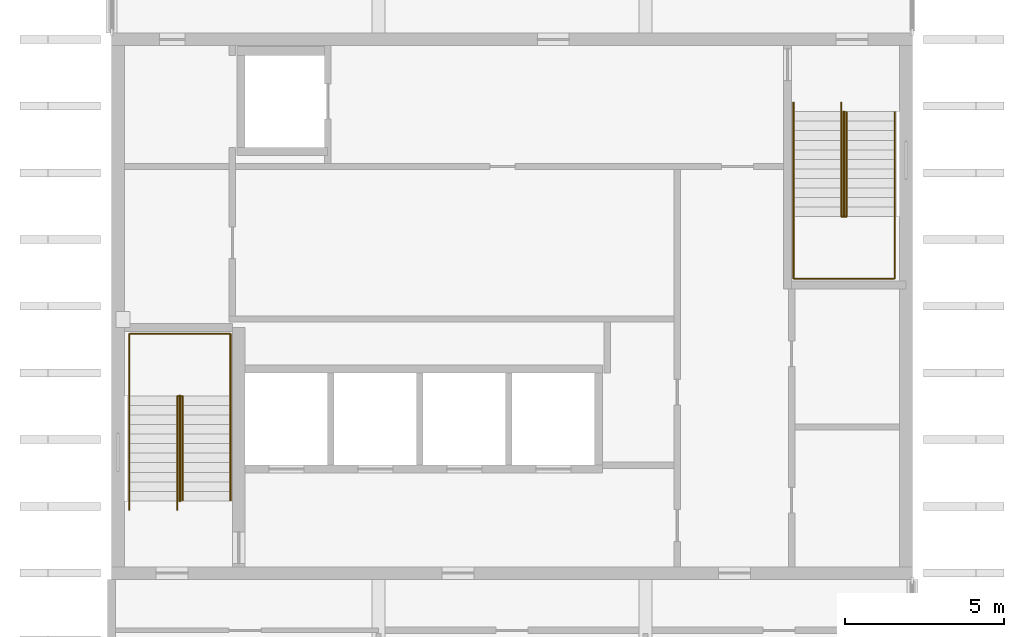
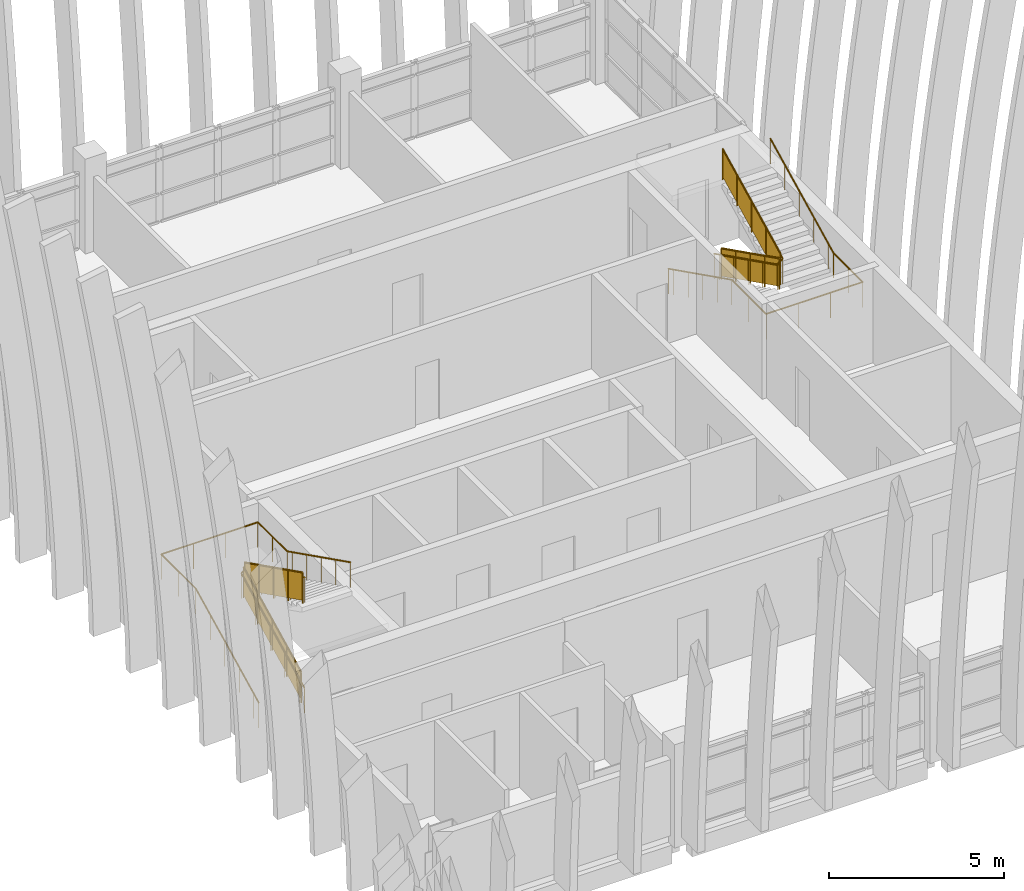
# One storey, part 8 of 19: 8 railings.
"""IFC4 building model written with IfcOpenShell, lengths in metres."""

import ifcopenshell
import ifcopenshell.guid

model = None  # the IFC model being written
_history = None  # IfcOwnerHistory: only IFC2X3 demands one
_inside = {}  # id of a spatial element -> (the spatial element, [elements in it])
_under = {}  # id of a project, library or spatial element -> (it, [spatial elements below it])
_declared = {}  # id of a project -> (the project, [libraries it declares])
_typed = {}  # id of a type object -> (the type object, [elements of that type])
_made_of = {}  # id of a material, layer set ... -> (it, [elements and type objects made of it])


def new_model(schema):
    """Start an empty IFC model of exactly this schema.

    Asked for "IFC4X3", IfcOpenShell would pick the latest addendum, in which some entities
    have other attributes; the version numbers below select the first issue.
    IFC2X3 requires an IfcOwnerHistory on every rooted entity: one is made here for all.
    """
    global model, _history
    if schema == "IFC4X3":
        model = ifcopenshell.file(schema_version=(4, 3, 0, 0))
    else:
        model = ifcopenshell.file(schema=schema)
    _inside.clear()
    _under.clear()
    _declared.clear()
    _typed.clear()
    _made_of.clear()
    _history = None
    if model.schema == "IFC2X3":
        org = make("IfcOrganization", Name="unknown")
        user = make(
            "IfcPersonAndOrganization",
            ThePerson=make("IfcPerson", FamilyName="unknown"),
            TheOrganization=org,
        )
        app = make(
            "IfcApplication",
            ApplicationDeveloper=org,
            Version="unknown",
            ApplicationFullName="unknown",
            ApplicationIdentifier="unknown",
        )
        _history = make(
            "IfcOwnerHistory",
            OwningUser=user,
            OwningApplication=app,
            ChangeAction="ADDED",
            CreationDate=0,
        )
    return model


def make(cls, **values):
    """One entity of the class cls with the attributes given. An attribute that is None is left unset."""
    return model.create_entity(
        cls, **{name: value for name, value in values.items() if value is not None}
    )


def rooted(cls, **values):
    """An entity with a GlobalId (a new one), such as an element, a storey or a relation."""
    return make(cls, GlobalId=ifcopenshell.guid.new(), OwnerHistory=_history, **values)


def si_unit(unit_type, name, prefix=None):
    """IfcSIUnit, for example si_unit("LENGTHUNIT", "METRE", prefix="MILLI")."""
    return make("IfcSIUnit", UnitType=unit_type, Prefix=prefix, Name=name)


def assignment(units):
    """IfcUnitAssignment: the units of a project."""
    return None if units is None else make("IfcUnitAssignment", Units=units)


def point(xyz):
    """IfcCartesianPoint."""
    return None if xyz is None else make("IfcCartesianPoint", Coordinates=xyz)


def direction(xyz):
    """IfcDirection."""
    return None if xyz is None else make("IfcDirection", DirectionRatios=xyz)


def frame(location, z_axis=None, x_axis=None):
    """IfcAxis2Placement3D, a coordinate frame: its origin and axes. An axis left out is left unset."""
    return make(
        "IfcAxis2Placement3D",
        Location=point(location),
        Axis=direction(z_axis),
        RefDirection=direction(x_axis),
    )


def frame_2d(location, x_axis=None):
    """IfcAxis2Placement2D, a coordinate frame in the plane: its origin and x axis."""
    return make(
        "IfcAxis2Placement2D", Location=point(location), RefDirection=direction(x_axis)
    )


def origin():
    """The frame at (0, 0, 0) with its axes left unset."""
    return frame((0.0, 0.0, 0.0))


def origin_2d():
    """The frame at (0, 0) in the plane with its x axis left unset."""
    return frame_2d((0.0, 0.0))


def place(relative_to, where):
    """IfcLocalPlacement: puts the frame where relative to a parent placement (None: the world)."""
    return make(
        "IfcLocalPlacement", PlacementRelTo=relative_to, RelativePlacement=where
    )


def context(
    kind, dimensions, precision=None, world=None, true_north=None, identifier=None
):
    """IfcGeometricRepresentationContext, for example the 3D "Model" context."""
    return make(
        "IfcGeometricRepresentationContext",
        ContextIdentifier=identifier,
        ContextType=kind,
        CoordinateSpaceDimension=dimensions,
        Precision=precision,
        WorldCoordinateSystem=world,
        TrueNorth=true_north,
    )


def subcontext(parent, identifier, kind, view, scale=None):
    """IfcGeometricRepresentationSubContext, for example "Body" below "Model"."""
    return make(
        "IfcGeometricRepresentationSubContext",
        ContextIdentifier=identifier,
        ContextType=kind,
        ParentContext=parent,
        TargetScale=scale,
        TargetView=view,
    )


def project(units=None, contexts=None):
    """IfcProject with its units and contexts."""
    return rooted(
        "IfcProject",
        Name="project",
        RepresentationContexts=contexts,
        UnitsInContext=assignment(units),
    )


def spatial(cls, under=None, at=None, **own):
    """A site, building, storey or space (cls), placed at a placement, below another one or the project."""
    s = rooted(cls, ObjectPlacement=at, **own)
    if under is not None:
        _under.setdefault(under.id(), (under, []))[1].append(s)
    return s


def polyline(points):
    """IfcPolyline through the points."""
    return make("IfcPolyline", Points=[point(p) for p in points])


def profile(cls, at=None, kind="AREA", **sizes):
    """A parametric profile (cls). Its sizes go by their IFC names, for example OverallWidth=200.0."""
    return make(cls, ProfileType=kind, Position=at, **sizes)


def circle(**sizes):
    """IfcCircleProfileDef."""
    return profile("IfcCircleProfileDef", **sizes)


def outline(outer, holes=None, kind="AREA"):
    """IfcArbitraryClosedProfileDef: a profile drawn as a closed curve; with holes, ...WithVoids."""
    if holes is None:
        return make("IfcArbitraryClosedProfileDef", ProfileType=kind, OuterCurve=outer)
    return make(
        "IfcArbitraryProfileDefWithVoids",
        ProfileType=kind,
        OuterCurve=outer,
        InnerCurves=holes,
    )


def extrude(swept, where, along, depth):
    """IfcExtrudedAreaSolid: the profile swept, set in the frame where, extruded along a direction by depth."""
    return make(
        "IfcExtrudedAreaSolid",
        SweptArea=swept,
        Position=where,
        ExtrudedDirection=direction(along),
        Depth=depth,
    )


def shape(context_of_items, identifier, shape_type, items):
    """IfcShapeRepresentation: the items that make up one representation, for example the "Body"."""
    return make(
        "IfcShapeRepresentation",
        ContextOfItems=context_of_items,
        RepresentationIdentifier=identifier,
        RepresentationType=shape_type,
        Items=items,
    )


def material(Name=None, Category=None):
    """IfcMaterial."""
    return make("IfcMaterial", Name=Name, Category=Category)


def made_of(thing, what):
    """Note that an element or type object is made of a material, layer set ...; save() writes the relation."""
    if what is not None:
        _made_of.setdefault(what.id(), (what, []))[1].append(thing)
    return thing


def type_object(cls, material=None, **own):
    """A type object (cls), such as IfcWallType, which elements share."""
    return made_of(rooted(cls, **own), material)


def element(
    cls,
    number,
    at=None,
    inside=None,
    cuts=None,
    type_object=None,
    material=None,
    context=None,
    identifier="Body",
    shape_type=None,
    held_by="IfcProductDefinitionShape",
    body=None,
    shapes=None,
    **own,
):
    """One element of the class cls, such as IfcWall. Its Tag is "e" and its number.

    at: its placement. inside: the storey or other place that contains it. cuts: it is an
    opening in that element (IfcRelVoidsElement). A single representation is given by context,
    identifier, shape_type and body (its items); several are given by shapes. held_by: the class
    of the entity that holds the representations. save() writes the other relations.
    """
    e = rooted(cls, Tag="e%d" % number, ObjectPlacement=at, **own)
    if body is not None:
        shapes = [shape(context, identifier, shape_type, body)]
    if shapes is not None:
        e.Representation = make(held_by, Representations=shapes)
    if inside is not None:
        _inside.setdefault(inside.id(), (inside, []))[1].append(e)
    if cuts is not None:
        rooted(
            "IfcRelVoidsElement", RelatingBuildingElement=cuts, RelatedOpeningElement=e
        )
    if type_object is not None:
        _typed.setdefault(type_object.id(), (type_object, []))[1].append(e)
    return made_of(e, material)


def aggregate(whole, parts):
    """IfcRelAggregates: a whole, such as a stair, and the parts it consists of."""
    return rooted("IfcRelAggregates", RelatingObject=whole, RelatedObjects=parts)


def save(model, path):
    """Write the relations noted so far, then the file.

    IfcRelAggregates (storeys below a building ...), IfcRelContainedInSpatialStructure (elements
    in a storey), IfcRelDefinesByType, IfcRelAssociatesMaterial and IfcRelDeclares: one each for
    every whole, place, type object, material and project.
    """
    for whole, parts in _under.values():
        aggregate(whole, parts)
    for where, things in _inside.values():
        rooted(
            "IfcRelContainedInSpatialStructure",
            RelatedElements=things,
            RelatingStructure=where,
        )
    for kind, things in _typed.values():
        rooted("IfcRelDefinesByType", RelatedObjects=things, RelatingType=kind)
    for what, things in _made_of.values():
        rooted("IfcRelAssociatesMaterial", RelatedObjects=things, RelatingMaterial=what)
    for by, libraries in _declared.values():
        rooted("IfcRelDeclares", RelatingContext=by, RelatedDefinitions=libraries)
    model.write(path)


model = new_model("IFC4")

# Units and contexts
model_context = context("Model", 3, precision=1e-05, world=origin(), true_north=direction((0.0, 1.0)))
body_context = subcontext(model_context, "Body", "Model", "MODEL_VIEW")
ifc_project = project(units=[si_unit("LENGTHUNIT", "METRE"), si_unit("AREAUNIT", "SQUARE_METRE"), si_unit("VOLUMEUNIT", "CUBIC_METRE"), si_unit("PLANEANGLEUNIT", "RADIAN"), si_unit("MASSUNIT", "GRAM", prefix="KILO")], contexts=[model_context])

# Site, building, storey
site_placement = place(None, origin())
site = spatial("IfcSite", under=ifc_project, at=site_placement, CompositionType="ELEMENT")
building_placement = place(site_placement, origin())
building = spatial("IfcBuilding", under=site, at=building_placement, Name="Rulbaag Community and Learning Centre", CompositionType="ELEMENT")
storey_placement = place(building_placement, frame((0.0, 0.0, 57.60009765625)))
storey = spatial("IfcBuildingStorey", under=building, at=storey_placement, Name="L15", CompositionType="ELEMENT", Elevation=57.60009765625)

# Railings
ifc_material_1 = material(Name="Galvanised mild steel", Category="steel")
railing_type_1 = type_object("IfcRailingType", Name="GR-1100 GUARD 1100", PredefinedType="GUARDRAIL", material=ifc_material_1)
railing_1_placement = place(storey_placement, frame((144.929931640625, 94.675048828125, 0.14990234375)))
element("IfcRailing", 1, at=railing_1_placement, inside=storey, type_object=railing_type_1, Name="Guard ST1 L15 G", PredefinedType="GUARDRAIL", context=body_context, shape_type="SweptSolid", body=[
    extrude(circle(Radius=0.02490234375, at=origin_2d()), frame((0.0, 0.0, 1.0751953125), z_axis=(0.0, 0.894440424912, 0.447187126696), x_axis=(-1.0, 0.0, 0.0)), (0.0, 0.0, 1.0), 3.689453125),
    extrude(circle(Radius=0.02001953125, at=origin_2d()), origin(), (0.0, 0.0, 1.0), 1.050048828125),
    extrude(circle(Radius=0.02001953125, at=origin_2d()), frame((0.0, 0.824951171875, 0.41259765625)), (0.0, 0.0, 1.0), 1.050048828125),
    extrude(circle(Radius=0.02001953125, at=origin_2d()), frame((0.0, 1.64990234375, 0.824951171875)), (0.0, 0.0, 1.0), 1.050048828125),
    extrude(circle(Radius=0.02001953125, at=origin_2d()), frame((0.0, 2.47509765625, 1.2373046875)), (0.0, 0.0, 1.0), 1.050048828125),
    extrude(circle(Radius=0.02001953125, at=origin_2d()), frame((0.0, 3.300048828125, 1.64990234375)), (0.0, 0.0, 1.0), 1.050048828125),
    extrude(outline(polyline([(0.0, 0.0), (3.300048828125, 1.64990234375), (3.300048828125, 2.599853515625), (0.0, 0.949951171875), (0.0, 0.0)])), frame((-0.0048828125, 0.0, 0.10009765625), z_axis=(1.0, 0.0, 0.0), x_axis=(0.0, 1.0, 0.0)), (0.0, 0.0, 1.0), 0.010009765625),
])
for number, where, name in (
    (2, (144.969970703125, 97.97509765625, 1.949951171875), "Guard ST1 L15 G2"),
    (3, (165.830078125, 106.925048828125, 0.14990234375), "Guard ST2 L15 G"),
):
    element("IfcRailing", number, at=place(storey_placement, frame(where)), inside=storey, type_object=railing_type_1, Name=name, PredefinedType="GUARDRAIL", context=body_context, shape_type="SweptSolid", body=[
        extrude(circle(Radius=0.02490234375, at=origin_2d()), frame((0.0, 0.0, 1.0751953125), z_axis=(0.0, -0.894440424912, 0.447187126696), x_axis=(1.0, 0.0, 0.0)), (0.0, 0.0, 1.0), 3.689453125),
        extrude(circle(Radius=0.02001953125, at=origin_2d()), origin(), (0.0, 0.0, 1.0), 1.050048828125),
        extrude(circle(Radius=0.02001953125, at=origin_2d()), frame((0.0, -0.824951171875, 0.41259765625)), (0.0, 0.0, 1.0), 1.050048828125),
        extrude(circle(Radius=0.02001953125, at=origin_2d()), frame((0.0, -1.64990234375, 0.824951171875)), (0.0, 0.0, 1.0), 1.050048828125),
        extrude(circle(Radius=0.02001953125, at=origin_2d()), frame((0.0, -2.47509765625, 1.2373046875)), (0.0, 0.0, 1.0), 1.050048828125),
        extrude(circle(Radius=0.02001953125, at=origin_2d()), frame((0.0, -3.300048828125, 1.64990234375)), (0.0, 0.0, 1.0), 1.050048828125),
        extrude(outline(polyline([(0.0, 0.0), (3.300048828125, 1.64990234375), (3.300048828125, 2.599853515625), (0.0, 0.949951171875), (0.0, 0.0)])), frame((0.0048828125, 0.0, 0.10009765625), z_axis=(-1.0, 0.0, 0.0), x_axis=(0.0, -1.0, 0.0)), (0.0, 0.0, 1.0), 0.010009765625),
    ])
railing_2_placement = place(storey_placement, frame((165.8701171875, 103.625, 1.949951171875)))
element("IfcRailing", 4, at=railing_2_placement, inside=storey, type_object=railing_type_1, Name="Guard ST2 L15 G2", PredefinedType="GUARDRAIL", context=body_context, shape_type="SweptSolid", body=[
    extrude(circle(Radius=0.02490234375, at=origin_2d()), frame((0.0, 0.0, 1.0751953125), z_axis=(0.0, 0.894440424912, 0.447187126696), x_axis=(-1.0, 0.0, 0.0)), (0.0, 0.0, 1.0), 3.689453125),
    extrude(circle(Radius=0.02001953125, at=origin_2d()), origin(), (0.0, 0.0, 1.0), 1.050048828125),
    extrude(circle(Radius=0.02001953125, at=origin_2d()), frame((0.0, 0.824951171875, 0.41259765625)), (0.0, 0.0, 1.0), 1.050048828125),
    extrude(circle(Radius=0.02001953125, at=origin_2d()), frame((0.0, 1.64990234375, 0.824951171875)), (0.0, 0.0, 1.0), 1.050048828125),
    extrude(circle(Radius=0.02001953125, at=origin_2d()), frame((0.0, 2.47509765625, 1.2373046875)), (0.0, 0.0, 1.0), 1.050048828125),
    extrude(circle(Radius=0.02001953125, at=origin_2d()), frame((0.0, 3.300048828125, 1.64990234375)), (0.0, 0.0, 1.0), 1.050048828125),
    extrude(outline(polyline([(0.0, 0.0), (3.300048828125, 1.64990234375), (3.300048828125, 2.599853515625), (0.0, 0.949951171875), (0.0, 0.0)])), frame((-0.0048828125, 0.0, 0.10009765625), z_axis=(1.0, 0.0, 0.0), x_axis=(0.0, 1.0, 0.0)), (0.0, 0.0, 1.0), 0.010009765625),
])
ifc_material_2 = material(Name="Stainless steel grade 316", Category="steel")
railing_type_2 = type_object("IfcRailingType", Name="HR-900 HANDRAIL 900", PredefinedType="HANDRAIL", material=ifc_material_2)
railing_3_placement = place(storey_placement, frame((143.360107421875, 94.375, 0.0)))
element("IfcRailing", 5, at=railing_3_placement, inside=storey, type_object=railing_type_2, Name="Handrail ST1 L15 O", PredefinedType="HANDRAIL", context=body_context, shape_type="SweptSolid", body=[
    extrude(circle(Radius=0.024169921875, at=origin_2d()), frame((0.0, 0.0, 0.875732421875), z_axis=(0.0, 0.894572720946, 0.446922417137), x_axis=(-1.0, 0.0, 0.0)), (0.0, 0.0, 1.0), 0.33544921875),
    extrude(circle(Radius=0.024169921875, at=origin_2d()), frame((0.0, 0.300048828125, 1.025634765625), z_axis=(0.0, 0.894440424912, 0.447187126696), x_axis=(-1.0, 0.0, 0.0)), (0.0, 0.0, 1.0), 3.689453125),
    extrude(circle(Radius=0.024169921875, at=origin_2d()), frame((0.0, 3.60009765625, 2.675537109375), z_axis=(0.0, 1.0, 0.0), x_axis=(-1.0, 0.0, 0.0)), (0.0, 0.0, 1.0), 1.96484375),
    extrude(circle(Radius=0.024169921875, at=origin_2d()), frame((0.0, 5.56494140625, 2.675537109375), z_axis=(1.0, 0.0, 0.0), x_axis=(0.0, 1.0, 0.0)), (0.0, 0.0, 1.0), 3.179931640625),
    extrude(circle(Radius=0.024169921875, at=origin_2d()), frame((3.179931640625, 5.56494140625, 2.675537109375), z_axis=(0.0, -1.0, 0.0), x_axis=(1.0, 0.0, 0.0)), (0.0, 0.0, 1.0), 1.6650390625),
    extrude(circle(Radius=0.024169921875, at=origin_2d()), frame((3.179931640625, 3.89990234375, 2.675537109375), z_axis=(0.0, -0.894135751892, 0.447795999523), x_axis=(1.0, 0.0, 0.0)), (0.0, 0.0, 1.0), 0.335205078125),
    extrude(circle(Radius=0.024169921875, at=origin_2d()), frame((3.179931640625, 3.60009765625, 2.82568359375), z_axis=(0.0, -0.894440424912, 0.447187126696), x_axis=(1.0, 0.0, 0.0)), (0.0, 0.0, 1.0), 3.689453125),
    extrude(circle(Radius=0.008056640625, at=origin_2d()), origin(), (0.0, 0.0, 1.0), 0.8515625),
    extrude(circle(Radius=0.008056640625, at=origin_2d()), frame((0.0, 0.300048828125, 0.14990234375)), (0.0, 0.0, 1.0), 0.8515625),
    extrude(circle(Radius=0.008056640625, at=origin_2d()), frame((0.0, 1.125, 0.5625)), (0.0, 0.0, 1.0), 0.8515625),
    extrude(circle(Radius=0.008056640625, at=origin_2d()), frame((0.0, 1.9501953125, 0.974853515625)), (0.0, 0.0, 1.0), 0.8515625),
    extrude(circle(Radius=0.008056640625, at=origin_2d()), frame((0.0, 2.775146484375, 1.38720703125)), (0.0, 0.0, 1.0), 0.8515625),
    extrude(circle(Radius=0.008056640625, at=origin_2d()), frame((0.0, 3.60009765625, 1.7998046875)), (0.0, 0.0, 1.0), 0.8515625),
    extrude(circle(Radius=0.008056640625, at=origin_2d()), frame((0.0, 4.58251953125, 1.7998046875)), (0.0, 0.0, 1.0), 0.8515625),
    extrude(circle(Radius=0.008056640625, at=origin_2d()), frame((0.0, 5.56494140625, 1.7998046875)), (0.0, 0.0, 1.0), 0.8515625),
    extrude(circle(Radius=0.008056640625, at=origin_2d()), frame((1.06005859375, 5.56494140625, 1.7998046875)), (0.0, 0.0, 1.0), 0.8515625),
    extrude(circle(Radius=0.008056640625, at=origin_2d()), frame((2.119873046875, 5.56494140625, 1.7998046875)), (0.0, 0.0, 1.0), 0.8515625),
    extrude(circle(Radius=0.008056640625, at=origin_2d()), frame((3.179931640625, 5.56494140625, 1.7998046875)), (0.0, 0.0, 1.0), 0.8515625),
    extrude(circle(Radius=0.008056640625, at=origin_2d()), frame((3.179931640625, 4.732421875, 1.7998046875)), (0.0, 0.0, 1.0), 0.8515625),
    extrude(circle(Radius=0.008056640625, at=origin_2d()), frame((3.179931640625, 3.89990234375, 1.7998046875)), (0.0, 0.0, 1.0), 0.8515625),
    extrude(circle(Radius=0.008056640625, at=origin_2d()), frame((3.179931640625, 3.60009765625, 1.949951171875)), (0.0, 0.0, 1.0), 0.8515625),
    extrude(circle(Radius=0.008056640625, at=origin_2d()), frame((3.179931640625, 2.775146484375, 2.3623046875)), (0.0, 0.0, 1.0), 0.8515625),
    extrude(circle(Radius=0.008056640625, at=origin_2d()), frame((3.179931640625, 1.9501953125, 2.77490234375)), (0.0, 0.0, 1.0), 0.8515625),
    extrude(circle(Radius=0.008056640625, at=origin_2d()), frame((3.179931640625, 1.125, 3.1875)), (0.0, 0.0, 1.0), 0.8515625),
    extrude(circle(Radius=0.008056640625, at=origin_2d()), frame((3.179931640625, 0.300048828125, 3.599853515625)), (0.0, 0.0, 1.0), 0.8515625),
])
railing_4_placement = place(storey_placement, frame((144.860107421875, 94.375, 0.0)))
element("IfcRailing", 6, at=railing_4_placement, inside=storey, type_object=railing_type_2, Name="Handrail ST1 L15 I", PredefinedType="HANDRAIL", context=body_context, shape_type="SweptSolid", body=[
    extrude(circle(Radius=0.024169921875, at=origin_2d()), frame((0.0, 0.0, 0.875732421875), z_axis=(0.0, 0.894572720946, 0.446922417137), x_axis=(-1.0, 0.0, 0.0)), (0.0, 0.0, 1.0), 0.33544921875),
    extrude(circle(Radius=0.024169921875, at=origin_2d()), frame((0.0, 0.300048828125, 1.025634765625), z_axis=(0.0, 0.894440424912, 0.447187126696), x_axis=(-1.0, 0.0, 0.0)), (0.0, 0.0, 1.0), 3.689453125),
    extrude(circle(Radius=0.024169921875, at=origin_2d()), frame((0.0, 3.60009765625, 2.675537109375), z_axis=(0.767794148456, 0.0, 0.640696609634), x_axis=(0.0, 1.0, 0.0)), (0.0, 0.0, 1.0), 0.234375),
    extrude(circle(Radius=0.024169921875, at=origin_2d()), frame((0.179931640625, 3.60009765625, 2.82568359375), z_axis=(0.0, -0.894440424912, 0.447187126696), x_axis=(1.0, 0.0, 0.0)), (0.0, 0.0, 1.0), 3.689453125),
    extrude(circle(Radius=0.008056640625, at=origin_2d()), origin(), (0.0, 0.0, 1.0), 0.8515625),
    extrude(circle(Radius=0.008056640625, at=origin_2d()), frame((0.0, 0.300048828125, 0.14990234375)), (0.0, 0.0, 1.0), 0.8515625),
    extrude(circle(Radius=0.008056640625, at=origin_2d()), frame((0.0, 1.125, 0.5625)), (0.0, 0.0, 1.0), 0.8515625),
    extrude(circle(Radius=0.008056640625, at=origin_2d()), frame((0.0, 1.9501953125, 0.974853515625)), (0.0, 0.0, 1.0), 0.8515625),
    extrude(circle(Radius=0.008056640625, at=origin_2d()), frame((0.0, 2.775146484375, 1.38720703125)), (0.0, 0.0, 1.0), 0.8515625),
    extrude(circle(Radius=0.008056640625, at=origin_2d()), frame((0.0, 3.60009765625, 1.7998046875)), (0.0, 0.0, 1.0), 0.8515625),
    extrude(circle(Radius=0.008056640625, at=origin_2d()), frame((0.179931640625, 3.60009765625, 1.949951171875)), (0.0, 0.0, 1.0), 0.8515625),
    extrude(circle(Radius=0.008056640625, at=origin_2d()), frame((0.179931640625, 2.775146484375, 2.3623046875)), (0.0, 0.0, 1.0), 0.8515625),
    extrude(circle(Radius=0.008056640625, at=origin_2d()), frame((0.179931640625, 1.9501953125, 2.77490234375)), (0.0, 0.0, 1.0), 0.8515625),
    extrude(circle(Radius=0.008056640625, at=origin_2d()), frame((0.179931640625, 1.125, 3.1875)), (0.0, 0.0, 1.0), 0.8515625),
    extrude(circle(Radius=0.008056640625, at=origin_2d()), frame((0.179931640625, 0.300048828125, 3.599853515625)), (0.0, 0.0, 1.0), 0.8515625),
])
railing_5_placement = place(storey_placement, frame((164.260009765625, 107.22509765625, 0.0)))
element("IfcRailing", 7, at=railing_5_placement, inside=storey, type_object=railing_type_2, Name="Handrail ST2 L15 O", PredefinedType="HANDRAIL", context=body_context, shape_type="SweptSolid", body=[
    extrude(circle(Radius=0.024169921875, at=origin_2d()), frame((0.0, 0.0, 0.875732421875), z_axis=(0.0, -0.894572720946, 0.446922417137), x_axis=(1.0, 0.0, 0.0)), (0.0, 0.0, 1.0), 0.33544921875),
    extrude(circle(Radius=0.024169921875, at=origin_2d()), frame((0.0, -0.300048828125, 1.025634765625), z_axis=(0.0, -0.894440424912, 0.447187126696), x_axis=(1.0, 0.0, 0.0)), (0.0, 0.0, 1.0), 3.689453125),
    extrude(circle(Radius=0.024169921875, at=origin_2d()), frame((0.0, -3.60009765625, 2.675537109375), z_axis=(0.0, -1.0, 0.0), x_axis=(1.0, 0.0, 0.0)), (0.0, 0.0, 1.0), 1.965087890625),
    extrude(circle(Radius=0.024169921875, at=origin_2d()), frame((0.0, -5.565185546875, 2.675537109375), z_axis=(1.0, 0.0, 0.0), x_axis=(0.0, 1.0, 0.0)), (0.0, 0.0, 1.0), 3.179931640625),
    extrude(circle(Radius=0.024169921875, at=origin_2d()), frame((3.179931640625, -5.565185546875, 2.675537109375), z_axis=(0.0, 1.0, 0.0), x_axis=(-1.0, 0.0, 0.0)), (0.0, 0.0, 1.0), 1.6650390625),
    extrude(circle(Radius=0.024169921875, at=origin_2d()), frame((3.179931640625, -3.900146484375, 2.675537109375), z_axis=(0.0, 0.894281613681, 0.447504631744), x_axis=(-1.0, 0.0, 0.0)), (0.0, 0.0, 1.0), 0.33544921875),
    extrude(circle(Radius=0.024169921875, at=origin_2d()), frame((3.179931640625, -3.60009765625, 2.82568359375), z_axis=(0.0, 0.894440424912, 0.447187126696), x_axis=(-1.0, 0.0, 0.0)), (0.0, 0.0, 1.0), 3.689453125),
    extrude(circle(Radius=0.008056640625, at=origin_2d()), origin(), (0.0, 0.0, 1.0), 0.8515625),
    extrude(circle(Radius=0.008056640625, at=origin_2d()), frame((0.0, -0.300048828125, 0.14990234375)), (0.0, 0.0, 1.0), 0.8515625),
    extrude(circle(Radius=0.008056640625, at=origin_2d()), frame((0.0, -1.125, 0.5625)), (0.0, 0.0, 1.0), 0.8515625),
    extrude(circle(Radius=0.008056640625, at=origin_2d()), frame((0.0, -1.9501953125, 0.974853515625)), (0.0, 0.0, 1.0), 0.8515625),
    extrude(circle(Radius=0.008056640625, at=origin_2d()), frame((0.0, -2.775146484375, 1.38720703125)), (0.0, 0.0, 1.0), 0.8515625),
    extrude(circle(Radius=0.008056640625, at=origin_2d()), frame((0.0, -3.60009765625, 1.7998046875)), (0.0, 0.0, 1.0), 0.8515625),
    extrude(circle(Radius=0.008056640625, at=origin_2d()), frame((0.0, -4.58251953125, 1.7998046875)), (0.0, 0.0, 1.0), 0.8515625),
    extrude(circle(Radius=0.008056640625, at=origin_2d()), frame((0.0, -5.565185546875, 1.7998046875)), (0.0, 0.0, 1.0), 0.8515625),
    extrude(circle(Radius=0.008056640625, at=origin_2d()), frame((1.06005859375, -5.565185546875, 1.7998046875)), (0.0, 0.0, 1.0), 0.8515625),
    extrude(circle(Radius=0.008056640625, at=origin_2d()), frame((2.119873046875, -5.565185546875, 1.7998046875)), (0.0, 0.0, 1.0), 0.8515625),
    extrude(circle(Radius=0.008056640625, at=origin_2d()), frame((3.179931640625, -5.565185546875, 1.7998046875)), (0.0, 0.0, 1.0), 0.8515625),
    extrude(circle(Radius=0.008056640625, at=origin_2d()), frame((3.179931640625, -4.732666015625, 1.7998046875)), (0.0, 0.0, 1.0), 0.8515625),
    extrude(circle(Radius=0.008056640625, at=origin_2d()), frame((3.179931640625, -3.900146484375, 1.7998046875)), (0.0, 0.0, 1.0), 0.8515625),
    extrude(circle(Radius=0.008056640625, at=origin_2d()), frame((3.179931640625, -3.60009765625, 1.949951171875)), (0.0, 0.0, 1.0), 0.8515625),
    extrude(circle(Radius=0.008056640625, at=origin_2d()), frame((3.179931640625, -2.775146484375, 2.3623046875)), (0.0, 0.0, 1.0), 0.8515625),
    extrude(circle(Radius=0.008056640625, at=origin_2d()), frame((3.179931640625, -1.9501953125, 2.77490234375)), (0.0, 0.0, 1.0), 0.8515625),
    extrude(circle(Radius=0.008056640625, at=origin_2d()), frame((3.179931640625, -1.125, 3.1875)), (0.0, 0.0, 1.0), 0.8515625),
    extrude(circle(Radius=0.008056640625, at=origin_2d()), frame((3.179931640625, -0.300048828125, 3.599853515625)), (0.0, 0.0, 1.0), 0.8515625),
])
railing_6_placement = place(storey_placement, frame((165.760009765625, 107.22509765625, 0.0)))
element("IfcRailing", 8, at=railing_6_placement, inside=storey, type_object=railing_type_2, Name="Handrail ST2 L15 I", PredefinedType="HANDRAIL", context=body_context, shape_type="SweptSolid", body=[
    extrude(circle(Radius=0.024169921875, at=origin_2d()), frame((0.0, 0.0, 0.875732421875), z_axis=(0.0, -0.894572720946, 0.446922417137), x_axis=(1.0, 0.0, 0.0)), (0.0, 0.0, 1.0), 0.33544921875),
    extrude(circle(Radius=0.024169921875, at=origin_2d()), frame((0.0, -0.300048828125, 1.025634765625), z_axis=(0.0, -0.894440424912, 0.447187126696), x_axis=(1.0, 0.0, 0.0)), (0.0, 0.0, 1.0), 3.689453125),
    extrude(circle(Radius=0.024169921875, at=origin_2d()), frame((0.0, -3.60009765625, 2.675537109375), z_axis=(0.767794148456, 0.0, 0.640696609634), x_axis=(0.0, 1.0, 0.0)), (0.0, 0.0, 1.0), 0.234375),
    extrude(circle(Radius=0.024169921875, at=origin_2d()), frame((0.179931640625, -3.60009765625, 2.82568359375), z_axis=(0.0, 0.894440424912, 0.447187126696), x_axis=(-1.0, 0.0, 0.0)), (0.0, 0.0, 1.0), 3.689453125),
    extrude(circle(Radius=0.008056640625, at=origin_2d()), origin(), (0.0, 0.0, 1.0), 0.8515625),
    extrude(circle(Radius=0.008056640625, at=origin_2d()), frame((0.0, -0.300048828125, 0.14990234375)), (0.0, 0.0, 1.0), 0.8515625),
    extrude(circle(Radius=0.008056640625, at=origin_2d()), frame((0.0, -1.125, 0.5625)), (0.0, 0.0, 1.0), 0.8515625),
    extrude(circle(Radius=0.008056640625, at=origin_2d()), frame((0.0, -1.9501953125, 0.974853515625)), (0.0, 0.0, 1.0), 0.8515625),
    extrude(circle(Radius=0.008056640625, at=origin_2d()), frame((0.0, -2.775146484375, 1.38720703125)), (0.0, 0.0, 1.0), 0.8515625),
    extrude(circle(Radius=0.008056640625, at=origin_2d()), frame((0.0, -3.60009765625, 1.7998046875)), (0.0, 0.0, 1.0), 0.8515625),
    extrude(circle(Radius=0.008056640625, at=origin_2d()), frame((0.179931640625, -3.60009765625, 1.949951171875)), (0.0, 0.0, 1.0), 0.8515625),
    extrude(circle(Radius=0.008056640625, at=origin_2d()), frame((0.179931640625, -2.775146484375, 2.3623046875)), (0.0, 0.0, 1.0), 0.8515625),
    extrude(circle(Radius=0.008056640625, at=origin_2d()), frame((0.179931640625, -1.9501953125, 2.77490234375)), (0.0, 0.0, 1.0), 0.8515625),
    extrude(circle(Radius=0.008056640625, at=origin_2d()), frame((0.179931640625, -1.125, 3.1875)), (0.0, 0.0, 1.0), 0.8515625),
    extrude(circle(Radius=0.008056640625, at=origin_2d()), frame((0.179931640625, -0.300048828125, 3.599853515625)), (0.0, 0.0, 1.0), 0.8515625),
])

save(model, "model.ifc")
